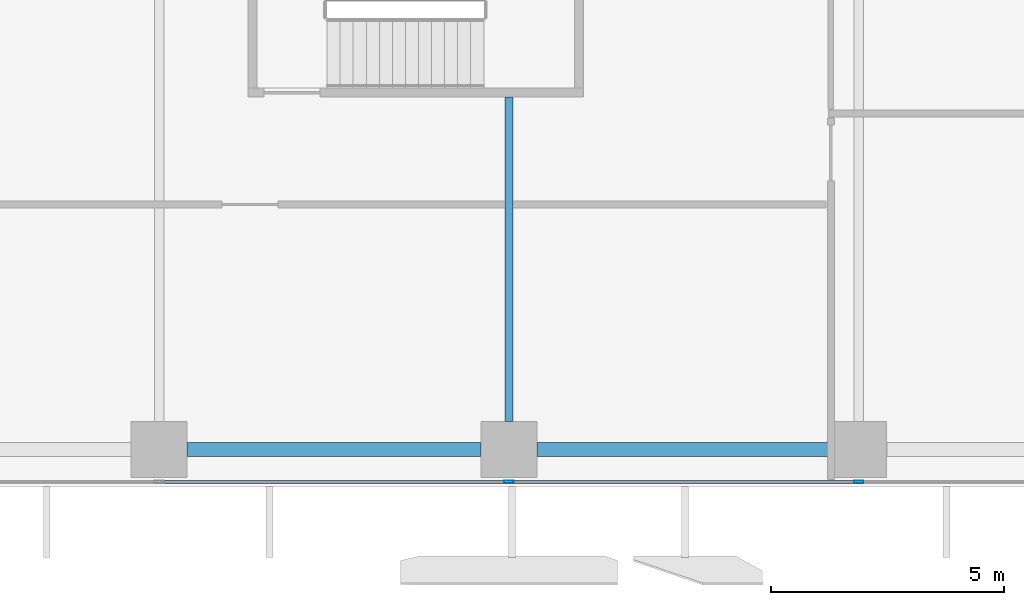
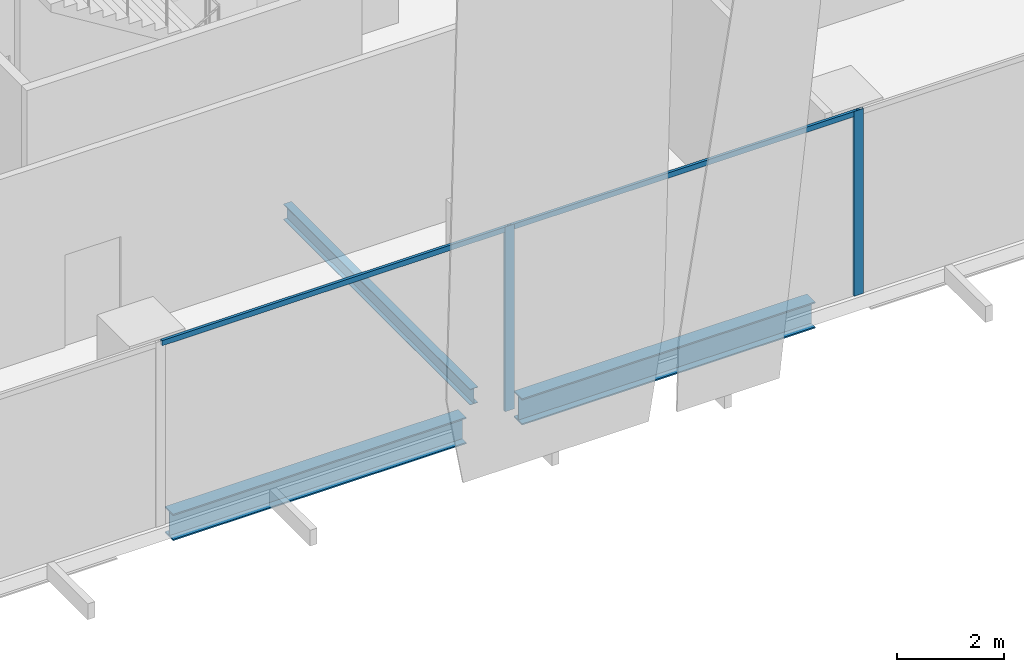
# One storey, part 3 of 36: 4 members, 3 beams, 1 element without a shape of its own.
"""IFC4 building model written with IfcOpenShell, lengths in metres."""

from ifc_helpers import new_model, si_unit, direction, frame, origin, origin_2d, place, context, subcontext, project, spatial, hollow_rectangle, i_section, extrude, source, transform, mapped, material, material_profile, profile_set, type_object, element, aggregate, save


model = new_model("IFC4")

# Units and contexts
model_context = context("Model", 3, precision=1e-05, world=origin(), true_north=direction((0.0, 1.0)))
body_context = subcontext(model_context, "Body", "Model", "MODEL_VIEW")
ifc_project = project(units=[si_unit("LENGTHUNIT", "METRE"), si_unit("AREAUNIT", "SQUARE_METRE"), si_unit("VOLUMEUNIT", "CUBIC_METRE"), si_unit("PLANEANGLEUNIT", "RADIAN"), si_unit("MASSUNIT", "GRAM", prefix="KILO")], contexts=[model_context])

# Site, building, storey
site_placement = place(None, origin())
site = spatial("IfcSite", under=ifc_project, at=site_placement, CompositionType="ELEMENT")
building_placement = place(site_placement, origin())
building = spatial("IfcBuilding", under=site, at=building_placement, Name="Khomas Fold Tower", CompositionType="ELEMENT")
storey_placement = place(building_placement, frame((0.0, 0.0, 46.5)))
storey = spatial("IfcBuildingStorey", under=building, at=storey_placement, Name="L09", CompositionType="ELEMENT", Elevation=46.5)

# Beams
ifc_material_1 = material(Name="Steel S355", Category="steel")
ifc_material_profile_1 = material_profile(ifc_material_1, i_section(OverallWidth=0.169921875, OverallDepth=0.360107421875, WebThickness=0.008056640625, FlangeThickness=0.0126953125, at=origin_2d()), Name="IPE 360")
ifc_profile_set_1 = profile_set([ifc_material_profile_1], Name="Steel S355")
beam_type_1 = type_object("IfcBeamType", Name="IPE 360 beam JB2", PredefinedType="BEAM", material=ifc_profile_set_1)
shared_shape_1 = source(origin(), body_context, "Body", "SweptSolid", [
    extrude(i_section(OverallWidth=0.169921875, OverallDepth=0.360107421875, WebThickness=0.008056640625, FlangeThickness=0.0126953125, at=origin_2d()), origin(), (0.0, 0.0, 1.0), 6.9501953125),
])
beam_placement = place(storey_placement, frame((19.5, 1.39990234375, -0.47998046875), z_axis=(0.0, 1.0, 0.0), x_axis=(-1.0, 0.0, 0.0)))
element("IfcBeam", 1, at=beam_placement, inside=storey, type_object=beam_type_1, Name="JB2", PredefinedType="BEAM", context=body_context, shape_type="MappedRepresentation", body=[
    mapped(shared_shape_1, transform((0.0, 0.0, 0.0))),
])
ifc_material_2 = material(Name="Steel S355", Category="steel")
ifc_material_profile_2 = material_profile(ifc_material_2, i_section(OverallWidth=0.300048828125, OverallDepth=0.60009765625, WebThickness=0.015380859375, FlangeThickness=0.030029296875, at=origin_2d()), Name="HE 600 B")
ifc_profile_set_2 = profile_set([ifc_material_profile_2], Name="Steel S355")
beam_type_2 = type_object("IfcBeamType", Name="HE 600 B spandrel SB1", PredefinedType="SPANDREL", material=ifc_profile_set_2)
shared_shape_2 = source(origin(), body_context, "Body", "SweptSolid", [
    extrude(i_section(OverallWidth=0.300048828125, OverallDepth=0.60009765625, WebThickness=0.015380859375, FlangeThickness=0.030029296875, at=origin_2d()), origin(), (0.0, 0.0, 1.0), 6.2998046875),
])
for number, where, z_axis, x_axis, name in (
    (2, (12.60009765625, 0.800048828125, -0.60009765625), (1.0, 0.0, 0.0), (0.0, 1.0, 0.0), "SB1"),
    (3, (20.10009765625, 0.800048828125, -0.60009765625), (1.0, 0.0, 0.0), (0.0, 1.0, 0.0), "SB1"),
):
    element("IfcBeam", number, at=place(storey_placement, frame(where, z_axis=z_axis, x_axis=x_axis)), inside=storey, type_object=beam_type_2, Name=name, PredefinedType="SPANDREL", context=body_context, shape_type="MappedRepresentation", body=[
        mapped(shared_shape_2, transform((0.0, 0.0, 0.0))),
    ])

# Curtain wall, members
ifc_material_3 = material(Name="Aluminium framed double glazing", Category="aluminium")
curtain_wall_type = type_object("IfcCurtainWallType", Name="SK-Unitised clear-glass wall, growing floors CW1", PredefinedType="NOTDEFINED", material=ifc_material_3)
curtain_wall_placement = place(storey_placement, origin())
curtain_wall = element("IfcCurtainWall", 4, at=curtain_wall_placement, inside=storey, type_object=curtain_wall_type, Name="CW1 run L09 00-0", PredefinedType="NOTDEFINED")
ifc_material_4 = material(Name="Aluminium", Category="aluminium")
ifc_material_profile_3 = material_profile(ifc_material_4, hollow_rectangle(XDim=0.06005859375, YDim=0.1201171875, WallThickness=0.00390625, at=origin_2d()), Name="SK-Unitised clear-glass wall, growing floors transom CW1-T")
ifc_profile_set_3 = profile_set([ifc_material_profile_3], Name="Aluminium")
member_type_1 = type_object("IfcMemberType", Name="SK-Unitised clear-glass wall, growing floors transom CW1-T", PredefinedType="USERDEFINED", material=ifc_profile_set_3)
shared_shape_3 = source(origin(), body_context, "Body", "SweptSolid", [
    extrude(hollow_rectangle(XDim=0.06005859375, YDim=0.1201171875, WallThickness=0.00390625, at=origin_2d()), origin(), (0.0, 0.0, 1.0), 7.43994140625),
])
member_1_placement = place(storey_placement, frame((12.030029296875, 0.10009765625, 4.139892578125), z_axis=(1.0, 0.0, 0.0), x_axis=(0.0, 1.0, 0.0)))
member_1 = element("IfcMember", 5, at=member_1_placement, type_object=member_type_1, Name="CW1 transom 3", ObjectType="TRANSOM", PredefinedType="USERDEFINED", context=body_context, shape_type="MappedRepresentation", body=[
    mapped(shared_shape_3, transform((0.0, 0.0, 0.0))),
])
member_2_placement = place(storey_placement, frame((19.530029296875, 0.10009765625, 4.139892578125), z_axis=(1.0, 0.0, 0.0), x_axis=(0.0, 1.0, 0.0)))
member_2 = element("IfcMember", 6, at=member_2_placement, type_object=member_type_1, Name="CW1 transom 4", ObjectType="TRANSOM", PredefinedType="USERDEFINED", context=body_context, shape_type="MappedRepresentation", body=[
    mapped(shared_shape_3, transform((0.0, 0.0, 0.0))),
])
ifc_material_5 = material(Name="Aluminium", Category="aluminium")
ifc_material_profile_4 = material_profile(ifc_material_5, hollow_rectangle(XDim=0.06005859375, YDim=0.199951171875, WallThickness=0.00390625, at=origin_2d()), Name="SK-Unitised clear-glass wall, growing floors mullion CW1-M")
ifc_profile_set_4 = profile_set([ifc_material_profile_4], Name="Aluminium")
member_type_2 = type_object("IfcMemberType", Name="SK-Unitised clear-glass wall, growing floors mullion CW1-M", PredefinedType="MULLION", material=ifc_profile_set_4)
shared_shape_4 = source(origin(), body_context, "Body", "SweptSolid", [
    extrude(hollow_rectangle(XDim=0.06005859375, YDim=0.199951171875, WallThickness=0.00390625, at=origin_2d()), origin(), (0.0, 0.0, 1.0), 4.199951171875),
])
member_3_placement = place(storey_placement, frame((19.5, 0.10009765625, 0.0), z_axis=(0.0, 0.0, 1.0), x_axis=(0.0, 1.0, 0.0)))
member_3 = element("IfcMember", 7, at=member_3_placement, type_object=member_type_2, Name="CW1 mullion 4", PredefinedType="MULLION", context=body_context, shape_type="MappedRepresentation", body=[
    mapped(shared_shape_4, transform((0.0, 0.0, 0.0))),
])
member_4_placement = place(storey_placement, frame((27.0, 0.10009765625, 0.0), z_axis=(0.0, 0.0, 1.0), x_axis=(0.0, 1.0, 0.0)))
member_4 = element("IfcMember", 8, at=member_4_placement, type_object=member_type_2, Name="CW1 mullion 5", PredefinedType="MULLION", context=body_context, shape_type="MappedRepresentation", body=[
    mapped(shared_shape_4, transform((0.0, 0.0, 0.0))),
])
aggregate(curtain_wall, [member_3, member_4, member_1, member_2])

save(model, "model.ifc")
